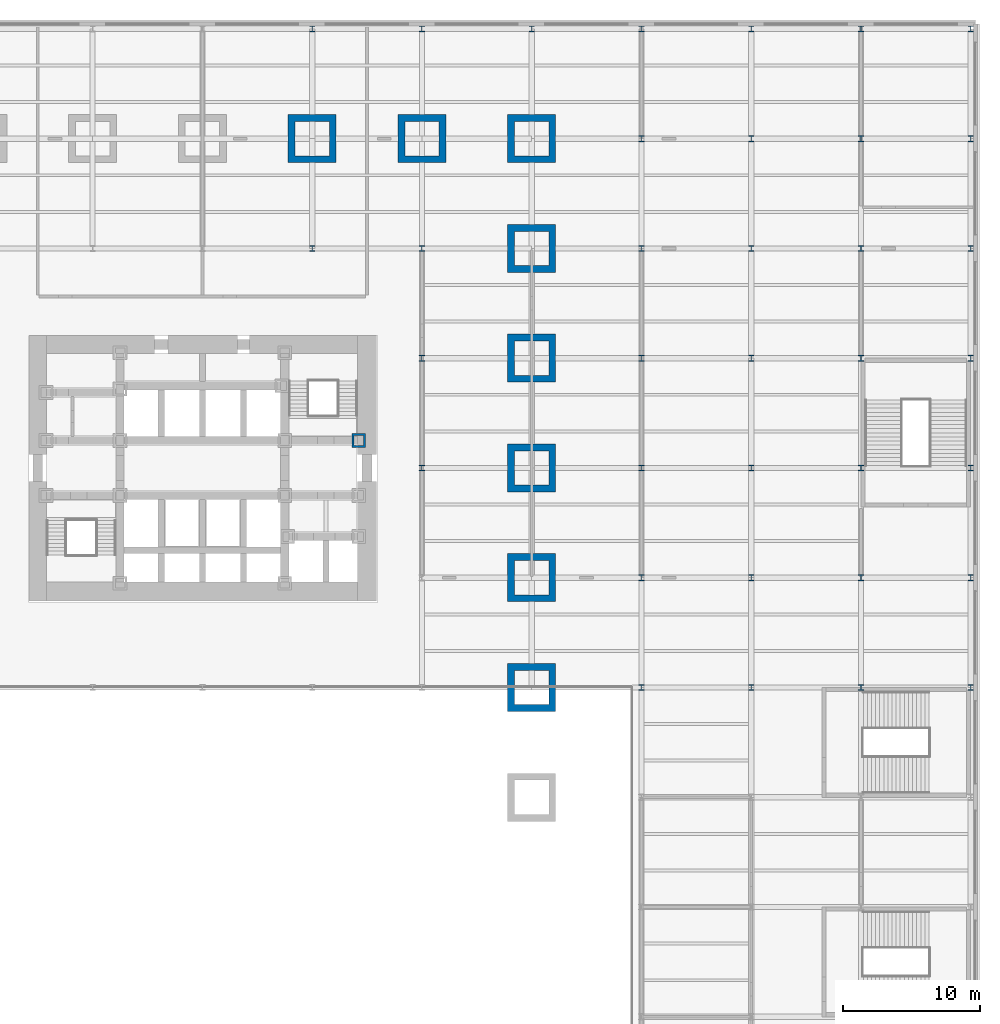
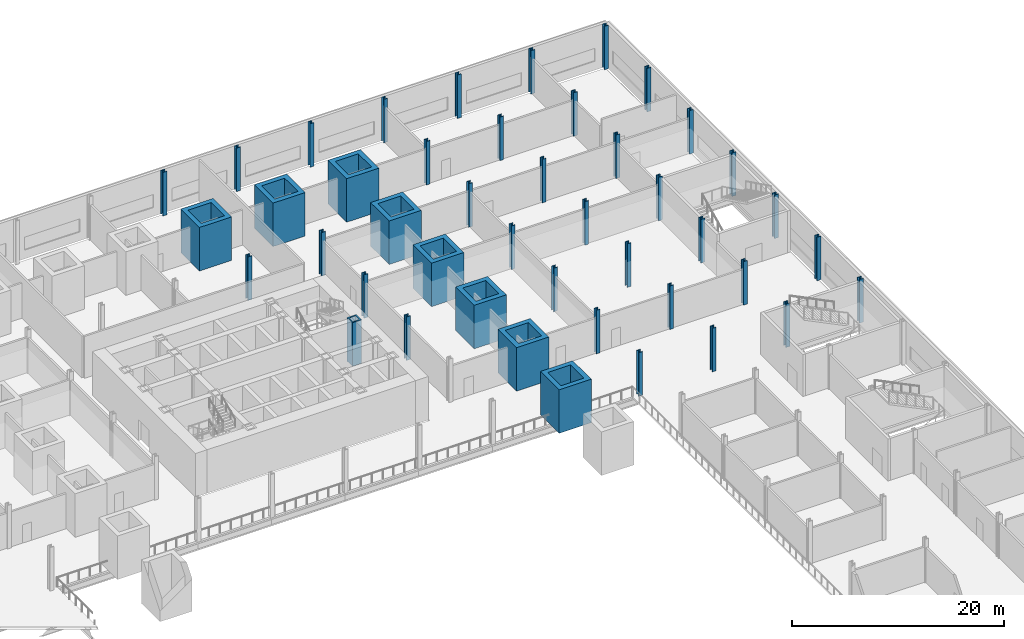
# One storey, part 4 of 18: 44 columns.
"""IFC4 building model written with IfcOpenShell, lengths in metres."""

from ifc_helpers import new_model, si_unit, direction, frame, origin, origin_2d, place, context, subcontext, project, spatial, hollow_rectangle, i_section, extrude, material, material_profile, profile_set, type_object, element, save


model = new_model("IFC4")

# Units and contexts
model_context = context("Model", 3, precision=1e-05, world=origin(), true_north=direction((0.0, 1.0)))
body_context = subcontext(model_context, "Body", "Model", "MODEL_VIEW")
ifc_project = project(units=[si_unit("LENGTHUNIT", "METRE"), si_unit("AREAUNIT", "SQUARE_METRE"), si_unit("VOLUMEUNIT", "CUBIC_METRE"), si_unit("PLANEANGLEUNIT", "RADIAN"), si_unit("MASSUNIT", "GRAM", prefix="KILO")], contexts=[model_context])

# Site, building, storey
site_placement = place(None, origin())
site = spatial("IfcSite", under=ifc_project, at=site_placement, CompositionType="ELEMENT")
building_placement = place(site_placement, origin())
building = spatial("IfcBuilding", under=site, at=building_placement, Name="Daluyong Arena Tower", CompositionType="ELEMENT")
storey_placement = place(building_placement, frame((0.0, 0.0, 4.89990234375)))
storey = spatial("IfcBuildingStorey", under=building, at=storey_placement, Name="L01", CompositionType="ELEMENT", Elevation=4.89990234375)

# Columns
ifc_material_1 = material(Name="Steel ASTM A588 Grade 50", Category="steel")
ifc_material_profile_1 = material_profile(ifc_material_1, hollow_rectangle(XDim=1.0, YDim=1.0, WallThickness=0.15, at=origin_2d()))
ifc_profile_set_1 = profile_set([ifc_material_profile_1], Name="Steel ASTM A588 Grade 50")
column_type_1 = type_object("IfcColumnType", Name="Core boundary column BX1000X150", PredefinedType="COLUMN", material=ifc_profile_set_1)
column_placement = place(storey_placement, frame((67.39990234375, 82.0, 0.0), z_axis=(0.0, 0.0, 1.0), x_axis=(1.0, 0.0, 0.0)))
element("IfcColumn", 1, at=column_placement, inside=storey, type_object=column_type_1, Name="core boundary column BC1", PredefinedType="COLUMN", context=body_context, shape_type="SweptSolid", body=[
    extrude(hollow_rectangle(XDim=1.0, YDim=1.0, WallThickness=0.15, at=origin_2d()), origin(), (0.0, 0.0, 1.0), 5.0),
])
ifc_material_2 = material(Name="Steel ASTM A913 Grade 65", Category="steel")
ifc_material_profile_2 = material_profile(ifc_material_2, i_section(OverallWidth=0.419189453125, OverallDepth=0.45458984375, WebThickness=0.042236328125, FlangeThickness=0.067626953125, at=origin_2d()))
ifc_profile_set_2 = profile_set([ifc_material_profile_2], Name="Steel ASTM A913 Grade 65")
column_type_2 = type_object("IfcColumnType", Name="Podium column W14X370", PredefinedType="COLUMN", material=ifc_profile_set_2)
for number, where, z_axis, x_axis, name in (
    (2, (64.0, 96.0, 0.0), (0.0, 0.0, 1.0), (1.0, 0.0, 0.0), "podium column PC1"),
    (3, (64.0, 112.0, 0.0), (0.0, 0.0, 1.0), (1.0, 0.0, 0.0), "podium column PC1"),
    (4, (72.0, 80.0, 0.0), (0.0, 0.0, 1.0), (1.0, 0.0, 0.0), "podium column PC1"),
    (5, (72.0, 88.0, 0.0), (0.0, 0.0, 1.0), (1.0, 0.0, 0.0), "podium column PC1"),
    (6, (72.0, 96.0, 0.0), (0.0, 0.0, 1.0), (1.0, 0.0, 0.0), "podium column PC1"),
    (7, (72.0, 112.0, 0.0), (0.0, 0.0, 1.0), (1.0, 0.0, 0.0), "podium column PC1"),
    (8, (80.0, 112.0, 0.0), (0.0, 0.0, 1.0), (1.0, 0.0, 0.0), "podium column PC1"),
    (9, (88.0, 64.0, 0.0), (0.0, 0.0, 1.0), (1.0, 0.0, 0.0), "podium column PC1"),
    (10, (88.0, 72.0, 0.0), (0.0, 0.0, 1.0), (1.0, 0.0, 0.0), "podium column PC1"),
    (11, (88.0, 80.0, 0.0), (0.0, 0.0, 1.0), (1.0, 0.0, 0.0), "podium column PC1"),
    (12, (88.0, 88.0, 0.0), (0.0, 0.0, 1.0), (1.0, 0.0, 0.0), "podium column PC1"),
    (13, (88.0, 96.0, 0.0), (0.0, 0.0, 1.0), (1.0, 0.0, 0.0), "podium column PC1"),
    (14, (88.0, 104.0, 0.0), (0.0, 0.0, 1.0), (1.0, 0.0, 0.0), "podium column PC1"),
    (15, (88.0, 112.0, 0.0), (0.0, 0.0, 1.0), (1.0, 0.0, 0.0), "podium column PC1"),
    (16, (96.0, 64.0, 0.0), (0.0, 0.0, 1.0), (1.0, 0.0, 0.0), "podium column PC1"),
    (17, (96.0, 72.0, 0.0), (0.0, 0.0, 1.0), (1.0, 0.0, 0.0), "podium column PC1"),
    (18, (96.0, 80.0, 0.0), (0.0, 0.0, 1.0), (1.0, 0.0, 0.0), "podium column PC1"),
    (19, (96.0, 88.0, 0.0), (0.0, 0.0, 1.0), (1.0, 0.0, 0.0), "podium column PC1"),
    (20, (96.0, 96.0, 0.0), (0.0, 0.0, 1.0), (1.0, 0.0, 0.0), "podium column PC1"),
    (21, (96.0, 104.0, 0.0), (0.0, 0.0, 1.0), (1.0, 0.0, 0.0), "podium column PC1"),
    (22, (96.0, 112.0, 0.0), (0.0, 0.0, 1.0), (1.0, 0.0, 0.0), "podium column PC1"),
    (23, (104.0, 64.0, 0.0), (0.0, 0.0, 1.0), (1.0, 0.0, 0.0), "podium column PC1"),
    (24, (104.0, 72.0, 0.0), (0.0, 0.0, 1.0), (1.0, 0.0, 0.0), "podium column PC1"),
    (25, (104.0, 80.0, 0.0), (0.0, 0.0, 1.0), (1.0, 0.0, 0.0), "podium column PC1"),
    (26, (104.0, 88.0, 0.0), (0.0, 0.0, 1.0), (1.0, 0.0, 0.0), "podium column PC1"),
    (27, (104.0, 96.0, 0.0), (0.0, 0.0, 1.0), (1.0, 0.0, 0.0), "podium column PC1"),
    (28, (104.0, 104.0, 0.0), (0.0, 0.0, 1.0), (1.0, 0.0, 0.0), "podium column PC1"),
    (29, (104.0, 112.0, 0.0), (0.0, 0.0, 1.0), (1.0, 0.0, 0.0), "podium column PC1"),
    (30, (112.0, 64.0, 0.0), (0.0, 0.0, 1.0), (1.0, 0.0, 0.0), "podium column PC1"),
    (31, (112.0, 72.0, 0.0), (0.0, 0.0, 1.0), (1.0, 0.0, 0.0), "podium column PC1"),
    (32, (112.0, 80.0, 0.0), (0.0, 0.0, 1.0), (1.0, 0.0, 0.0), "podium column PC1"),
    (33, (112.0, 88.0, 0.0), (0.0, 0.0, 1.0), (1.0, 0.0, 0.0), "podium column PC1"),
    (34, (112.0, 96.0, 0.0), (0.0, 0.0, 1.0), (1.0, 0.0, 0.0), "podium column PC1"),
    (35, (112.0, 104.0, 0.0), (0.0, 0.0, 1.0), (1.0, 0.0, 0.0), "podium column PC1"),
    (36, (112.0, 112.0, 0.0), (0.0, 0.0, 1.0), (1.0, 0.0, 0.0), "podium column PC1"),
):
    element("IfcColumn", number, at=place(storey_placement, frame(where, z_axis=z_axis, x_axis=x_axis)), inside=storey, type_object=column_type_2, Name=name, PredefinedType="COLUMN", context=body_context, shape_type="SweptSolid", body=[
        extrude(i_section(OverallWidth=0.419189453125, OverallDepth=0.45458984375, WebThickness=0.042236328125, FlangeThickness=0.067626953125, at=origin_2d()), origin(), (0.0, 0.0, 1.0), 5.0),
    ])
ifc_material_3 = material(Name="Steel ASTM A36", Category="steel")
ifc_material_profile_3 = material_profile(ifc_material_3, hollow_rectangle(XDim=3.5, YDim=3.5, WallThickness=0.5, at=origin_2d()))
ifc_profile_set_3 = profile_set([ifc_material_profile_3], Name="Steel ASTM A36")
column_type_3 = type_object("IfcColumnType", Name="Podium megacolumn BX3500X500", PredefinedType="COLUMN", material=ifc_profile_set_3)
for number, where, z_axis, x_axis, name in (
    (37, (64.0, 104.0, 0.0), (0.0, 0.0, 1.0), (1.0, 0.0, 0.0), "podium megacolumn MC1"),
    (38, (72.0, 104.0, 0.0), (0.0, 0.0, 1.0), (1.0, 0.0, 0.0), "podium megacolumn MC1"),
    (39, (80.0, 64.0, 0.0), (0.0, 0.0, 1.0), (1.0, 0.0, 0.0), "podium megacolumn MC1"),
    (40, (80.0, 72.0, 0.0), (0.0, 0.0, 1.0), (1.0, 0.0, 0.0), "podium megacolumn MC1"),
    (41, (80.0, 80.0, 0.0), (0.0, 0.0, 1.0), (1.0, 0.0, 0.0), "podium megacolumn MC1"),
    (42, (80.0, 88.0, 0.0), (0.0, 0.0, 1.0), (1.0, 0.0, 0.0), "podium megacolumn MC1"),
    (43, (80.0, 96.0, 0.0), (0.0, 0.0, 1.0), (1.0, 0.0, 0.0), "podium megacolumn MC1"),
    (44, (80.0, 104.0, 0.0), (0.0, 0.0, 1.0), (1.0, 0.0, 0.0), "podium megacolumn MC1"),
):
    element("IfcColumn", number, at=place(storey_placement, frame(where, z_axis=z_axis, x_axis=x_axis)), inside=storey, type_object=column_type_3, Name=name, PredefinedType="COLUMN", context=body_context, shape_type="SweptSolid", body=[
        extrude(hollow_rectangle(XDim=3.5, YDim=3.5, WallThickness=0.5, at=origin_2d()), origin(), (0.0, 0.0, 1.0), 5.0),
    ])

save(model, "model.ifc")
